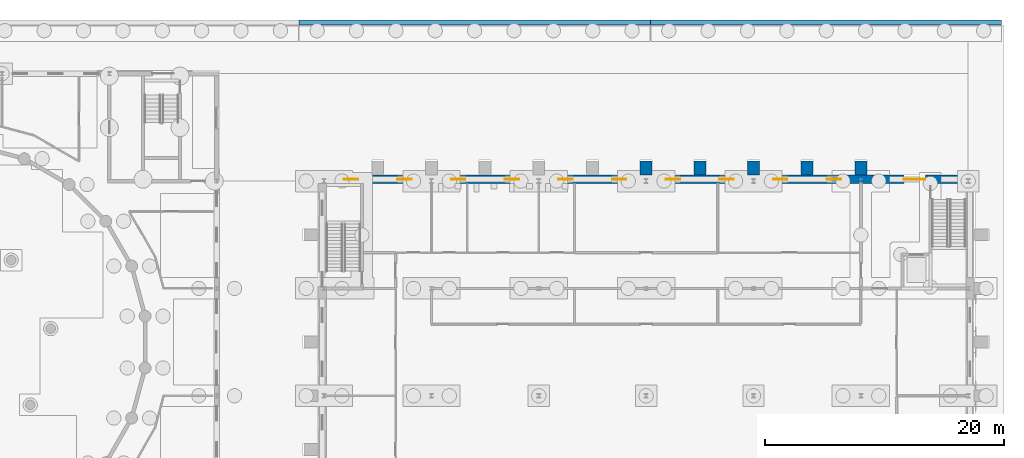
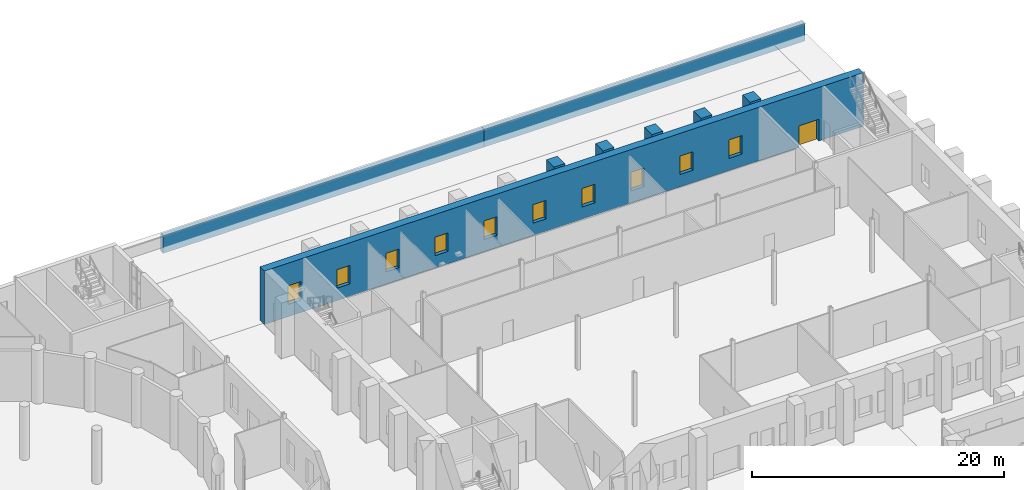
# One storey, part 110 of 168: 10 windows, 8 walls, 1 door, 11 openings.
"""IFC4 building model written with IfcOpenShell, lengths in metres."""

from ifc_helpers import new_model, si_unit, direction, frame, frame_2d, origin, place, context, subcontext, project, spatial, rectangle, extrude, material, layer, layer_set, type_object, element, fill, save


model = new_model("IFC4")

# Units and contexts
model_context = context("Model", 3, precision=1e-05, world=origin(), true_north=direction((0.0, 1.0)))
body_context = subcontext(model_context, "Body", "Model", "MODEL_VIEW")
ifc_project = project(units=[si_unit("LENGTHUNIT", "METRE"), si_unit("AREAUNIT", "SQUARE_METRE"), si_unit("VOLUMEUNIT", "CUBIC_METRE"), si_unit("PLANEANGLEUNIT", "RADIAN"), si_unit("MASSUNIT", "GRAM", prefix="KILO")], contexts=[model_context])

# Site, building, storey
site_placement = place(None, origin())
site = spatial("IfcSite", under=ifc_project, at=site_placement, CompositionType="ELEMENT")
building_placement = place(site_placement, origin())
building = spatial("IfcBuilding", under=site, at=building_placement, Name="Golden Quay Civic Hall", CompositionType="ELEMENT")
storey_placement = place(building_placement, origin())
storey = spatial("IfcBuildingStorey", under=building, at=storey_placement, Name="L00", CompositionType="ELEMENT", Elevation=0.0)

# Walls
ifc_material_1 = material(Name="Concrete C40/50", Category="concrete")
ifc_layer_1 = layer(ifc_material_1, 0.39990234375)
ifc_layer_set_1 = layer_set([ifc_layer_1], Name="Boundary wall 400")
wall_type_1 = type_object("IfcWallType", Name="Boundary wall 400", PredefinedType="STANDARD", material=ifc_layer_set_1)
wall_1_placement = place(storey_placement, frame((114.8798828125, 112.300048828125, -0.60009765625), z_axis=(0.0, 0.0, 1.0), x_axis=(1.0, 0.0, 0.0)))
element("IfcWall", 1, at=wall_1_placement, inside=storey, type_object=wall_type_1, Name="Boundary wall run N5", PredefinedType="STANDARD", context=body_context, shape_type="SweptSolid", body=[
    extrude(rectangle(XDim=29.480224609375, YDim=0.39990234375, at=frame_2d((14.740234375, 0.0))), origin(), (0.0, 0.0, 1.0), 1.7001953125),
])
wall_2_placement = place(storey_placement, frame((144.360107421875, 112.300048828125, -0.60009765625), z_axis=(0.0, 0.0, 1.0), x_axis=(1.0, 0.0, 0.0)))
element("IfcWall", 2, at=wall_2_placement, inside=storey, type_object=wall_type_1, Name="Boundary wall run N6", PredefinedType="STANDARD", context=body_context, shape_type="SweptSolid", body=[
    extrude(rectangle(XDim=29.43994140625, YDim=0.39990234375, at=frame_2d((14.719970703125, 0.0))), origin(), (0.0, 0.0, 1.0), 1.7001953125),
])
ifc_material_2 = material(Name="Limestone, rusticated facing", Category="masonry")
ifc_layer_2 = layer(ifc_material_2, 1.199951171875)
ifc_layer_set_2 = layer_set([ifc_layer_2], Name="Stone base pier 1000 x 1200")
wall_type_2 = type_object("IfcWallType", Name="Stone base pier 1000 x 1200", PredefinedType="STANDARD", material=ifc_layer_set_2)
for number, where, z_axis, x_axis, name in (
    (3, (143.5, 100.10009765625, 0.0), (0.0, 0.0, 1.0), (1.0, 0.0, 0.0), "Stone base pier 1000 x 1200 L00 15"),
    (4, (148.0, 100.10009765625, 0.0), (0.0, 0.0, 1.0), (1.0, 0.0, 0.0), "Stone base pier 1000 x 1200 L00 16"),
    (5, (152.5, 100.10009765625, 0.0), (0.0, 0.0, 1.0), (1.0, 0.0, 0.0), "Stone base pier 1000 x 1200 L00 17"),
    (6, (157.0, 100.10009765625, 0.0), (0.0, 0.0, 1.0), (1.0, 0.0, 0.0), "Stone base pier 1000 x 1200 L00 18"),
    (7, (161.5, 100.10009765625, 0.0), (0.0, 0.0, 1.0), (1.0, 0.0, 0.0), "Stone base pier 1000 x 1200 L00 19"),
):
    element("IfcWall", number, at=place(storey_placement, frame(where, z_axis=z_axis, x_axis=x_axis)), inside=storey, type_object=wall_type_2, Name=name, PredefinedType="STANDARD", context=body_context, shape_type="SweptSolid", body=[
        extrude(rectangle(XDim=1.0, YDim=1.199951171875, at=frame_2d((0.5, 0.0))), origin(), (0.0, 0.0, 1.0), 5.39990234375),
    ])

# Wall, openings, door, windows
ifc_material_3 = material(Name="Limestone, rusticated facing", Category="masonry")
ifc_layer_3 = layer(ifc_material_3, 0.699951171875)
ifc_layer_set_3 = layer_set([ifc_layer_3], Name="Stone external wall 700")
wall_type_3 = type_object("IfcWallType", Name="Stone external wall 700", PredefinedType="STANDARD", material=ifc_layer_set_3)
wall_3_placement = place(storey_placement, frame((116.5, 99.14990234375, 0.0), z_axis=(0.0, 0.0, 1.0), x_axis=(1.0, 0.0, 0.0)))
wall_3 = element("IfcWall", 8, at=wall_3_placement, inside=storey, type_object=wall_type_3, Name="L00 external wall N", PredefinedType="STANDARD", context=body_context, shape_type="SweptSolid", body=[
    extrude(rectangle(XDim=55.0, YDim=0.699951171875, at=frame_2d((27.5, 0.0))), origin(), (0.0, 0.0, 1.0), 5.199951171875),
])
opening_1_placement = place(wall_3_placement, frame((2.14990234375, 0.0, 1.199951171875)))
opening_1 = element("IfcOpeningElement", 9, at=opening_1_placement, cuts=wall_3, Name="Opening WN18", PredefinedType="OPENING", context=body_context, shape_type="SweptSolid", body=[
    extrude(rectangle(XDim=1.199951171875, YDim=1.800048828125, at=frame_2d((0.60009765625, 0.89990234375))), frame((0.0, 0.35986328125, 0.0), z_axis=(0.0, -1.0, 0.0), x_axis=(1.0, 0.0, 0.0)), (0.0, 0.0, 1.0), 0.719970703125),
])
opening_2_placement = place(wall_3_placement, frame((6.64990234375, 0.0, 1.199951171875)))
opening_2 = element("IfcOpeningElement", 10, at=opening_2_placement, cuts=wall_3, Name="Opening WN18", PredefinedType="OPENING", context=body_context, shape_type="SweptSolid", body=[
    extrude(rectangle(XDim=1.199951171875, YDim=1.800048828125, at=frame_2d((0.60009765625, 0.89990234375))), frame((0.0, 0.35986328125, 0.0), z_axis=(0.0, -1.0, 0.0), x_axis=(1.0, 0.0, 0.0)), (0.0, 0.0, 1.0), 0.719970703125),
])
opening_3_placement = place(wall_3_placement, frame((11.14990234375, 0.0, 1.199951171875)))
opening_3 = element("IfcOpeningElement", 11, at=opening_3_placement, cuts=wall_3, Name="Opening WN18", PredefinedType="OPENING", context=body_context, shape_type="SweptSolid", body=[
    extrude(rectangle(XDim=1.199951171875, YDim=1.800048828125, at=frame_2d((0.60009765625, 0.89990234375))), frame((0.0, 0.35986328125, 0.0), z_axis=(0.0, -1.0, 0.0), x_axis=(1.0, 0.0, 0.0)), (0.0, 0.0, 1.0), 0.719970703125),
])
opening_4_placement = place(wall_3_placement, frame((15.64990234375, 0.0, 1.199951171875)))
opening_4 = element("IfcOpeningElement", 12, at=opening_4_placement, cuts=wall_3, Name="Opening WN18", PredefinedType="OPENING", context=body_context, shape_type="SweptSolid", body=[
    extrude(rectangle(XDim=1.199951171875, YDim=1.800048828125, at=frame_2d((0.60009765625, 0.89990234375))), frame((0.0, 0.35986328125, 0.0), z_axis=(0.0, -1.0, 0.0), x_axis=(1.0, 0.0, 0.0)), (0.0, 0.0, 1.0), 0.719970703125),
])
opening_5_placement = place(wall_3_placement, frame((20.14990234375, 0.0, 1.199951171875)))
opening_5 = element("IfcOpeningElement", 13, at=opening_5_placement, cuts=wall_3, Name="Opening WN18", PredefinedType="OPENING", context=body_context, shape_type="SweptSolid", body=[
    extrude(rectangle(XDim=1.199951171875, YDim=1.800048828125, at=frame_2d((0.60009765625, 0.89990234375))), frame((0.0, 0.35986328125, 0.0), z_axis=(0.0, -1.0, 0.0), x_axis=(1.0, 0.0, 0.0)), (0.0, 0.0, 1.0), 0.719970703125),
])
opening_6_placement = place(wall_3_placement, frame((24.64990234375, 0.0, 1.199951171875)))
opening_6 = element("IfcOpeningElement", 14, at=opening_6_placement, cuts=wall_3, Name="Opening WN18", PredefinedType="OPENING", context=body_context, shape_type="SweptSolid", body=[
    extrude(rectangle(XDim=1.199951171875, YDim=1.800048828125, at=frame_2d((0.60009765625, 0.89990234375))), frame((0.0, 0.35986328125, 0.0), z_axis=(0.0, -1.0, 0.0), x_axis=(1.0, 0.0, 0.0)), (0.0, 0.0, 1.0), 0.719970703125),
])
opening_7_placement = place(wall_3_placement, frame((29.14990234375, 0.0, 1.199951171875)))
opening_7 = element("IfcOpeningElement", 15, at=opening_7_placement, cuts=wall_3, Name="Opening WN18", PredefinedType="OPENING", context=body_context, shape_type="SweptSolid", body=[
    extrude(rectangle(XDim=1.199951171875, YDim=1.800048828125, at=frame_2d((0.60009765625, 0.89990234375))), frame((0.0, 0.35986328125, 0.0), z_axis=(0.0, -1.0, 0.0), x_axis=(1.0, 0.0, 0.0)), (0.0, 0.0, 1.0), 0.719970703125),
])
opening_8_placement = place(wall_3_placement, frame((33.64990234375, 0.0, 1.199951171875)))
opening_8 = element("IfcOpeningElement", 16, at=opening_8_placement, cuts=wall_3, Name="Opening WN18", PredefinedType="OPENING", context=body_context, shape_type="SweptSolid", body=[
    extrude(rectangle(XDim=1.199951171875, YDim=1.800048828125, at=frame_2d((0.60009765625, 0.89990234375))), frame((0.0, 0.35986328125, 0.0), z_axis=(0.0, -1.0, 0.0), x_axis=(1.0, 0.0, 0.0)), (0.0, 0.0, 1.0), 0.719970703125),
])
opening_9_placement = place(wall_3_placement, frame((38.14990234375, 0.0, 1.199951171875)))
opening_9 = element("IfcOpeningElement", 17, at=opening_9_placement, cuts=wall_3, Name="Opening WN18", PredefinedType="OPENING", context=body_context, shape_type="SweptSolid", body=[
    extrude(rectangle(XDim=1.199951171875, YDim=1.800048828125, at=frame_2d((0.60009765625, 0.89990234375))), frame((0.0, 0.35986328125, 0.0), z_axis=(0.0, -1.0, 0.0), x_axis=(1.0, 0.0, 0.0)), (0.0, 0.0, 1.0), 0.719970703125),
])
opening_10_placement = place(wall_3_placement, frame((42.64990234375, 0.0, 1.199951171875)))
opening_10 = element("IfcOpeningElement", 18, at=opening_10_placement, cuts=wall_3, Name="Opening WN18", PredefinedType="OPENING", context=body_context, shape_type="SweptSolid", body=[
    extrude(rectangle(XDim=1.199951171875, YDim=1.800048828125, at=frame_2d((0.60009765625, 0.89990234375))), frame((0.0, 0.35986328125, 0.0), z_axis=(0.0, -1.0, 0.0), x_axis=(1.0, 0.0, 0.0)), (0.0, 0.0, 1.0), 0.719970703125),
])
opening_11_placement = place(wall_3_placement, frame((49.10009765625, 0.0, 0.0)))
opening_11 = element("IfcOpeningElement", 19, at=opening_11_placement, cuts=wall_3, Name="Opening L00-D045", PredefinedType="OPENING", context=body_context, shape_type="SweptSolid", body=[
    extrude(rectangle(XDim=1.800048828125, YDim=2.10009765625, at=frame_2d((0.89990234375, 1.050048828125))), frame((0.0, 0.35986328125, 0.0), z_axis=(0.0, -1.0, 0.0), x_axis=(1.0, 0.0, 0.0)), (0.0, 0.0, 1.0), 0.719970703125),
])
ifc_material_4 = material(Name="Steel", Category="steel")
door_type = type_object("IfcDoorType", Name="Steel double exit door FD60 1800 x 2100", OperationType="DOUBLE_DOOR_SINGLE_SWING", PredefinedType="DOOR", material=ifc_material_4)
door_placement = place(opening_11_placement, origin())
door = element("IfcDoor", 20, at=door_placement, inside=storey, type_object=door_type, Name="Stair exit LB-E", OperationType="DOUBLE_DOOR_SINGLE_SWING", OverallHeight=2.10009765625, OverallWidth=1.800048828125, PredefinedType="DOOR", context=body_context, shape_type="SweptSolid", body=[
    extrude(rectangle(XDim=1.800048828125, YDim=2.10009765625, at=frame_2d((0.89990234375, 1.050048828125))), frame((0.0, 0.02490234375, 0.0), z_axis=(0.0, -1.0, 0.0), x_axis=(1.0, 0.0, 0.0)), (0.0, 0.0, 1.0), 0.050048828125),
])
fill(opening_11, door)
ifc_material_5 = material(Name="Timber", Category="wood")
window_type = type_object("IfcWindowType", Name="Stone-framed timber window 1200 x 1800", PartitioningType="SINGLE_PANEL", PredefinedType="WINDOW", material=ifc_material_5)
window_1_placement = place(opening_1_placement, origin())
window_1 = element("IfcWindow", 21, at=window_1_placement, inside=storey, type_object=window_type, Name="L00 window N22", OverallHeight=1.800048828125, OverallWidth=1.199951171875, PartitioningType="SINGLE_PANEL", PredefinedType="WINDOW", context=body_context, shape_type="SweptSolid", body=[
    extrude(rectangle(XDim=1.199951171875, YDim=1.800048828125, at=frame_2d((0.60009765625, 0.89990234375))), frame((0.0, 0.030029296875, 0.0), z_axis=(0.0, -1.0, 0.0), x_axis=(1.0, 0.0, 0.0)), (0.0, 0.0, 1.0), 0.06005859375),
])
fill(opening_1, window_1)
window_2_placement = place(opening_2_placement, origin())
window_2 = element("IfcWindow", 22, at=window_2_placement, inside=storey, type_object=window_type, Name="L00 window N67", OverallHeight=1.800048828125, OverallWidth=1.199951171875, PartitioningType="SINGLE_PANEL", PredefinedType="WINDOW", context=body_context, shape_type="SweptSolid", body=[
    extrude(rectangle(XDim=1.199951171875, YDim=1.800048828125, at=frame_2d((0.60009765625, 0.89990234375))), frame((0.0, 0.030029296875, 0.0), z_axis=(0.0, -1.0, 0.0), x_axis=(1.0, 0.0, 0.0)), (0.0, 0.0, 1.0), 0.06005859375),
])
fill(opening_2, window_2)
window_3_placement = place(opening_3_placement, origin())
window_3 = element("IfcWindow", 23, at=window_3_placement, inside=storey, type_object=window_type, Name="L00 window N112", OverallHeight=1.800048828125, OverallWidth=1.199951171875, PartitioningType="SINGLE_PANEL", PredefinedType="WINDOW", context=body_context, shape_type="SweptSolid", body=[
    extrude(rectangle(XDim=1.199951171875, YDim=1.800048828125, at=frame_2d((0.60009765625, 0.89990234375))), frame((0.0, 0.030029296875, 0.0), z_axis=(0.0, -1.0, 0.0), x_axis=(1.0, 0.0, 0.0)), (0.0, 0.0, 1.0), 0.06005859375),
])
fill(opening_3, window_3)
window_4_placement = place(opening_4_placement, origin())
window_4 = element("IfcWindow", 24, at=window_4_placement, inside=storey, type_object=window_type, Name="L00 window N157", OverallHeight=1.800048828125, OverallWidth=1.199951171875, PartitioningType="SINGLE_PANEL", PredefinedType="WINDOW", context=body_context, shape_type="SweptSolid", body=[
    extrude(rectangle(XDim=1.199951171875, YDim=1.800048828125, at=frame_2d((0.60009765625, 0.89990234375))), frame((0.0, 0.030029296875, 0.0), z_axis=(0.0, -1.0, 0.0), x_axis=(1.0, 0.0, 0.0)), (0.0, 0.0, 1.0), 0.06005859375),
])
fill(opening_4, window_4)
window_5_placement = place(opening_5_placement, origin())
window_5 = element("IfcWindow", 25, at=window_5_placement, inside=storey, type_object=window_type, Name="L00 window N202", OverallHeight=1.800048828125, OverallWidth=1.199951171875, PartitioningType="SINGLE_PANEL", PredefinedType="WINDOW", context=body_context, shape_type="SweptSolid", body=[
    extrude(rectangle(XDim=1.199951171875, YDim=1.800048828125, at=frame_2d((0.60009765625, 0.89990234375))), frame((0.0, 0.030029296875, 0.0), z_axis=(0.0, -1.0, 0.0), x_axis=(1.0, 0.0, 0.0)), (0.0, 0.0, 1.0), 0.06005859375),
])
fill(opening_5, window_5)
window_6_placement = place(opening_6_placement, origin())
window_6 = element("IfcWindow", 26, at=window_6_placement, inside=storey, type_object=window_type, Name="L00 window N247", OverallHeight=1.800048828125, OverallWidth=1.199951171875, PartitioningType="SINGLE_PANEL", PredefinedType="WINDOW", context=body_context, shape_type="SweptSolid", body=[
    extrude(rectangle(XDim=1.199951171875, YDim=1.800048828125, at=frame_2d((0.60009765625, 0.89990234375))), frame((0.0, 0.030029296875, 0.0), z_axis=(0.0, -1.0, 0.0), x_axis=(1.0, 0.0, 0.0)), (0.0, 0.0, 1.0), 0.06005859375),
])
fill(opening_6, window_6)
window_7_placement = place(opening_7_placement, origin())
window_7 = element("IfcWindow", 27, at=window_7_placement, inside=storey, type_object=window_type, Name="L00 window N292", OverallHeight=1.800048828125, OverallWidth=1.199951171875, PartitioningType="SINGLE_PANEL", PredefinedType="WINDOW", context=body_context, shape_type="SweptSolid", body=[
    extrude(rectangle(XDim=1.199951171875, YDim=1.800048828125, at=frame_2d((0.60009765625, 0.89990234375))), frame((0.0, 0.030029296875, 0.0), z_axis=(0.0, -1.0, 0.0), x_axis=(1.0, 0.0, 0.0)), (0.0, 0.0, 1.0), 0.06005859375),
])
fill(opening_7, window_7)
window_8_placement = place(opening_8_placement, origin())
window_8 = element("IfcWindow", 28, at=window_8_placement, inside=storey, type_object=window_type, Name="L00 window N337", OverallHeight=1.800048828125, OverallWidth=1.199951171875, PartitioningType="SINGLE_PANEL", PredefinedType="WINDOW", context=body_context, shape_type="SweptSolid", body=[
    extrude(rectangle(XDim=1.199951171875, YDim=1.800048828125, at=frame_2d((0.60009765625, 0.89990234375))), frame((0.0, 0.030029296875, 0.0), z_axis=(0.0, -1.0, 0.0), x_axis=(1.0, 0.0, 0.0)), (0.0, 0.0, 1.0), 0.06005859375),
])
fill(opening_8, window_8)
window_9_placement = place(opening_9_placement, origin())
window_9 = element("IfcWindow", 29, at=window_9_placement, inside=storey, type_object=window_type, Name="L00 window N382", OverallHeight=1.800048828125, OverallWidth=1.199951171875, PartitioningType="SINGLE_PANEL", PredefinedType="WINDOW", context=body_context, shape_type="SweptSolid", body=[
    extrude(rectangle(XDim=1.199951171875, YDim=1.800048828125, at=frame_2d((0.60009765625, 0.89990234375))), frame((0.0, 0.030029296875, 0.0), z_axis=(0.0, -1.0, 0.0), x_axis=(1.0, 0.0, 0.0)), (0.0, 0.0, 1.0), 0.06005859375),
])
fill(opening_9, window_9)
window_10_placement = place(opening_10_placement, origin())
window_10 = element("IfcWindow", 30, at=window_10_placement, inside=storey, type_object=window_type, Name="L00 window N427", OverallHeight=1.800048828125, OverallWidth=1.199951171875, PartitioningType="SINGLE_PANEL", PredefinedType="WINDOW", context=body_context, shape_type="SweptSolid", body=[
    extrude(rectangle(XDim=1.199951171875, YDim=1.800048828125, at=frame_2d((0.60009765625, 0.89990234375))), frame((0.0, 0.030029296875, 0.0), z_axis=(0.0, -1.0, 0.0), x_axis=(1.0, 0.0, 0.0)), (0.0, 0.0, 1.0), 0.06005859375),
])
fill(opening_10, window_10)

save(model, "model.ifc")
